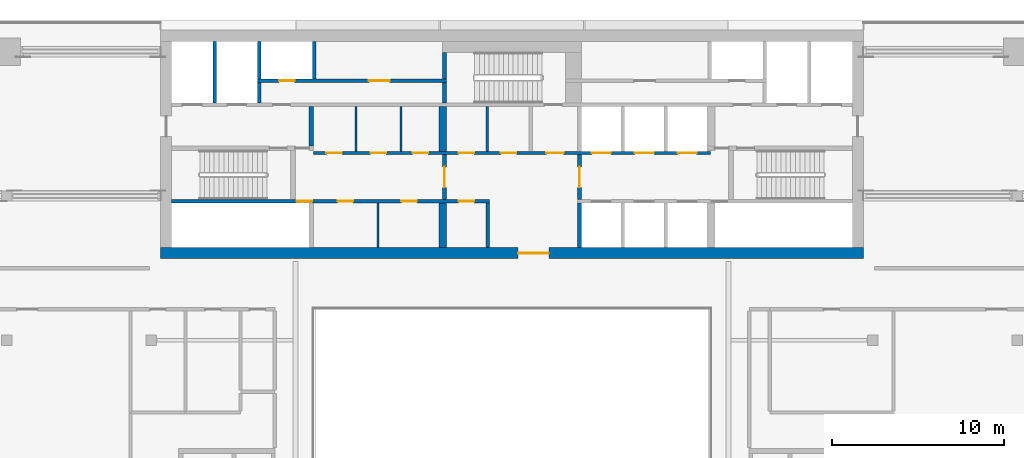
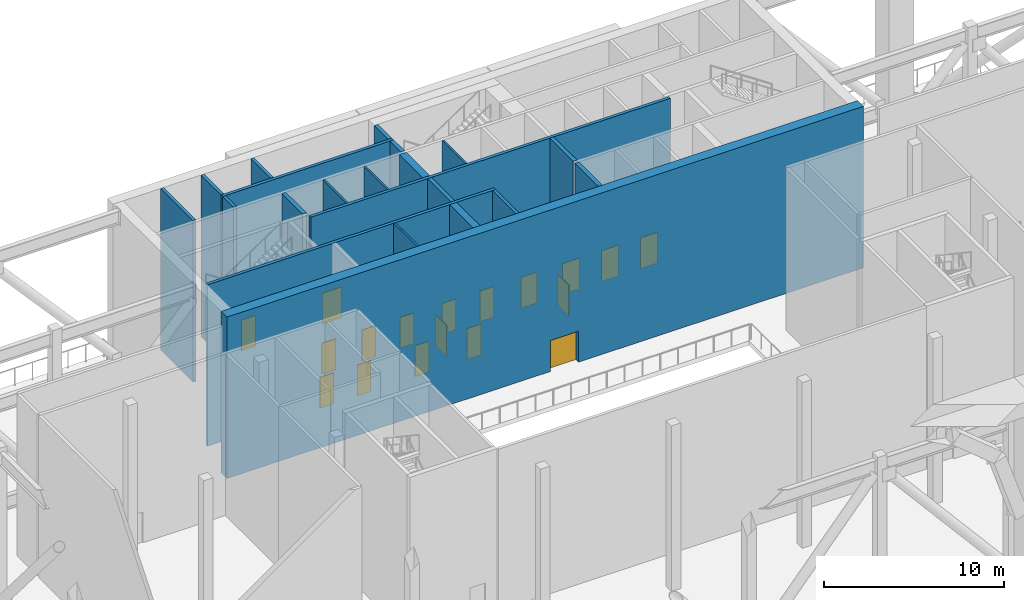
# One storey, part 5 of 19: 21 walls, 18 doors, 18 openings.
"""IFC4 building model written with IfcOpenShell, lengths in metres."""

from ifc_helpers import new_model, si_unit, direction, frame, frame_2d, origin, place, context, subcontext, project, spatial, rectangle, extrude, material, layer, layer_set, type_object, element, fill, save


model = new_model("IFC4")

# Units and contexts
model_context = context("Model", 3, precision=1e-05, world=origin(), true_north=direction((0.0, 1.0)))
body_context = subcontext(model_context, "Body", "Model", "MODEL_VIEW")
ifc_project = project(units=[si_unit("LENGTHUNIT", "METRE"), si_unit("AREAUNIT", "SQUARE_METRE"), si_unit("VOLUMEUNIT", "CUBIC_METRE"), si_unit("PLANEANGLEUNIT", "RADIAN"), si_unit("MASSUNIT", "GRAM", prefix="KILO")], contexts=[model_context])

# Site, building, storey
site_placement = place(None, origin())
site = spatial("IfcSite", under=ifc_project, at=site_placement, CompositionType="ELEMENT")
building_placement = place(site_placement, origin())
building = spatial("IfcBuilding", under=site, at=building_placement, Name="Saffron Gate Tower", CompositionType="ELEMENT")
storey_placement = place(building_placement, frame((0.0, 0.0, 194.25)))
storey = spatial("IfcBuildingStorey", under=building, at=storey_placement, Name="L48", CompositionType="ELEMENT", Elevation=194.25)

# Walls
ifc_material_1 = material(Name="Gypsum board partition on steel studs", Category="steel")
ifc_layer_1 = layer(ifc_material_1, 0.199951171875)
ifc_layer_set_1 = layer_set([ifc_layer_1], Name="CW10 Core partition 200")
wall_type_1 = type_object("IfcWallType", Name="CW10 Core partition 200", PredefinedType="PARTITIONING", material=ifc_layer_set_1)
wall_1_placement = place(storey_placement, frame((86.199951171875, 62.39990234375, 0.0), z_axis=(0.0, 0.0, 1.0), x_axis=(0.0, 1.0, 0.0)))
element("IfcWall", 1, at=wall_1_placement, inside=storey, type_object=wall_type_1, Name="Wall CW10-L48-8", PredefinedType="PARTITIONING", context=body_context, shape_type="SweptSolid", body=[
    extrude(rectangle(XDim=2.60009765625, YDim=0.199951171875, at=frame_2d((1.300048828125, 0.0))), origin(), (0.0, 0.0, 1.0), 10.969970703125),
])
ifc_material_2 = material(Name="Concrete C60", Category="concrete")
ifc_layer_2 = layer(ifc_material_2, 0.25)
ifc_layer_set_2 = layer_set([ifc_layer_2], Name="CW14 RC core wall 250 C60")
wall_type_2 = type_object("IfcWallType", Name="CW14 RC core wall 250 C60", PredefinedType="SOLIDWALL", material=ifc_layer_set_2)
wall_2_placement = place(storey_placement, frame((91.52490234375, 62.39990234375, 0.0), z_axis=(0.0, 0.0, 1.0), x_axis=(0.0, 1.0, 0.0)))
element("IfcWall", 2, at=wall_2_placement, inside=storey, type_object=wall_type_2, Name="Wall CW14-L48-9", PredefinedType="SOLIDWALL", context=body_context, shape_type="SweptSolid", body=[
    extrude(rectangle(XDim=2.60009765625, YDim=0.25, at=frame_2d((1.300048828125, 0.0))), origin(), (0.0, 0.0, 1.0), 10.969970703125),
])

# Wall, opening, door
wall_3_placement = place(storey_placement, frame((83.675048828125, 65.199951171875, 0.0), z_axis=(0.0, 0.0, 1.0), x_axis=(0.0, 1.0, 0.0)))
wall_3 = element("IfcWall", 3, at=wall_3_placement, inside=storey, type_object=wall_type_2, Name="Wall CW14-L48-16", PredefinedType="SOLIDWALL", context=body_context, shape_type="SweptSolid", body=[
    extrude(rectangle(XDim=2.60009765625, YDim=0.25, at=frame_2d((1.300048828125, 0.0))), origin(), (0.0, 0.0, 1.0), 10.969970703125),
])
opening_1_placement = place(wall_3_placement, frame((0.699951171875, 0.0, 0.0)))
opening_1 = element("IfcOpeningElement", 4, at=opening_1_placement, cuts=wall_3, Name="Opening CR-07", PredefinedType="OPENING", context=body_context, shape_type="SweptSolid", body=[
    extrude(rectangle(XDim=1.199951171875, YDim=2.10009765625, at=frame_2d((0.60009765625, 1.050048828125))), frame((0.0, 0.135009765625, 0.0), z_axis=(0.0, -1.0, 0.0), x_axis=(1.0, 0.0, 0.0)), (0.0, 0.0, 1.0), 0.27001953125),
])
ifc_material_3 = material(Name="Steel fire door set", Category="steel")
door_type_1 = type_object("IfcDoorType", Name="CD3 Lobby door 1200x2100 EI 120", OperationType="NOTDEFINED", PredefinedType="DOOR", material=ifc_material_3)
door_1_placement = place(opening_1_placement, origin())
door_1 = element("IfcDoor", 5, at=door_1_placement, inside=storey, type_object=door_type_1, Name="DOOR CR-07", OperationType="SINGLE_SWING_RIGHT", OverallHeight=2.10009765625, OverallWidth=1.199951171875, PredefinedType="DOOR", context=body_context, shape_type="SweptSolid", body=[
    extrude(rectangle(XDim=1.199951171875, YDim=2.10009765625, at=frame_2d((0.60009765625, 1.050048828125))), frame((0.0, 0.02490234375, 0.0), z_axis=(0.0, -1.0, 0.0), x_axis=(1.0, 0.0, 0.0)), (0.0, 0.0, 1.0), 0.050048828125),
])
fill(opening_1, door_1)

wall_4_placement = place(storey_placement, frame((91.52490234375, 65.199951171875, 0.0), z_axis=(0.0, 0.0, 1.0), x_axis=(0.0, 1.0, 0.0)))
wall_4 = element("IfcWall", 6, at=wall_4_placement, inside=storey, type_object=wall_type_2, Name="Wall CW14-L48-17", PredefinedType="SOLIDWALL", context=body_context, shape_type="SweptSolid", body=[
    extrude(rectangle(XDim=2.60009765625, YDim=0.25, at=frame_2d((1.300048828125, 0.0))), origin(), (0.0, 0.0, 1.0), 10.969970703125),
])
opening_2_placement = place(wall_4_placement, frame((0.699951171875, 0.0, 0.0)))
opening_2 = element("IfcOpeningElement", 7, at=opening_2_placement, cuts=wall_4, Name="Opening CR-01", PredefinedType="OPENING", context=body_context, shape_type="SweptSolid", body=[
    extrude(rectangle(XDim=1.199951171875, YDim=2.10009765625, at=frame_2d((0.60009765625, 1.050048828125))), frame((0.0, 0.135009765625, 0.0), z_axis=(0.0, -1.0, 0.0), x_axis=(1.0, 0.0, 0.0)), (0.0, 0.0, 1.0), 0.27001953125),
])
door_2_placement = place(opening_2_placement, origin())
door_2 = element("IfcDoor", 8, at=door_2_placement, inside=storey, type_object=door_type_1, Name="DOOR CR-01", OperationType="SINGLE_SWING_RIGHT", OverallHeight=2.10009765625, OverallWidth=1.199951171875, PredefinedType="DOOR", context=body_context, shape_type="SweptSolid", body=[
    extrude(rectangle(XDim=1.199951171875, YDim=2.10009765625, at=frame_2d((0.60009765625, 1.050048828125))), frame((0.0, 0.02490234375, 0.0), z_axis=(0.0, -1.0, 0.0), x_axis=(1.0, 0.0, 0.0)), (0.0, 0.0, 1.0), 0.050048828125),
])
fill(opening_2, door_2)

# Walls
wall_5_placement = place(storey_placement, frame((75.925048828125, 68.300048828125, 0.0), z_axis=(0.0, 0.0, 1.0), x_axis=(0.0, 1.0, 0.0)))
element("IfcWall", 9, at=wall_5_placement, inside=storey, type_object=wall_type_2, Name="Wall CW14-L48-31", PredefinedType="SOLIDWALL", context=body_context, shape_type="SweptSolid", body=[
    extrude(rectangle(XDim=2.300048828125, YDim=0.25, at=frame_2d((1.14990234375, 0.0))), origin(), (0.0, 0.0, 1.0), 10.969970703125),
])
wall_6_placement = place(storey_placement, frame((83.675048828125, 70.800048828125, 0.0), z_axis=(0.0, 0.0, 1.0), x_axis=(0.0, 1.0, 0.0)))
element("IfcWall", 10, at=wall_6_placement, inside=storey, type_object=wall_type_2, Name="Wall CW14-L48-36", PredefinedType="SOLIDWALL", context=body_context, shape_type="SweptSolid", body=[
    extrude(rectangle(XDim=1.199951171875, YDim=0.25, at=frame_2d((0.60009765625, 0.0))), origin(), (0.0, 0.0, 1.0), 10.969970703125),
])
wall_7_placement = place(storey_placement, frame((83.675048828125, 72.199951171875, 0.0), z_axis=(0.0, 0.0, 1.0), x_axis=(0.0, 1.0, 0.0)))
element("IfcWall", 11, at=wall_7_placement, inside=storey, type_object=wall_type_2, Name="Wall CW14-L48-44", PredefinedType="SOLIDWALL", context=body_context, shape_type="SweptSolid", body=[
    extrude(rectangle(XDim=1.550048828125, YDim=0.25, at=frame_2d((0.77490234375, 0.0))), origin(), (0.0, 0.0, 1.0), 10.969970703125),
])

# Wall, openings, doors
ifc_layer_3 = layer(ifc_material_2, 0.199951171875)
ifc_layer_set_3 = layer_set([ifc_layer_3], Name="CW15 RC core wall 200 C60")
wall_type_3 = type_object("IfcWallType", Name="CW15 RC core wall 200 C60", PredefinedType="SOLIDWALL", material=ifc_layer_set_3)
wall_8_placement = place(storey_placement, frame((67.800048828125, 65.10009765625, 0.0), z_axis=(0.0, 0.0, 1.0), x_axis=(1.0, 0.0, 0.0)))
wall_8 = element("IfcWall", 12, at=wall_8_placement, inside=storey, type_object=wall_type_3, Name="Wall CW15-L48-13", PredefinedType="SOLIDWALL", context=body_context, shape_type="SweptSolid", body=[
    extrude(rectangle(XDim=18.5, YDim=0.199951171875, at=frame_2d((9.25, 0.0))), origin(), (0.0, 0.0, 1.0), 10.969970703125),
])
opening_3_placement = place(wall_8_placement, frame((7.27001953125, 0.0, 0.0)))
opening_3 = element("IfcOpeningElement", 13, at=opening_3_placement, cuts=wall_8, Name="Opening CR-49", PredefinedType="OPENING", context=body_context, shape_type="SweptSolid", body=[
    extrude(rectangle(XDim=0.89990234375, YDim=2.10009765625, at=frame_2d((0.449951171875, 1.050048828125))), frame((0.0, 0.10986328125, 0.0), z_axis=(0.0, -1.0, 0.0), x_axis=(1.0, 0.0, 0.0)), (0.0, 0.0, 1.0), 0.219970703125),
])
opening_4_placement = place(wall_8_placement, frame((9.64990234375, 0.0, 0.0)))
opening_4 = element("IfcOpeningElement", 14, at=opening_4_placement, cuts=wall_8, Name="Opening CR-64", PredefinedType="OPENING", context=body_context, shape_type="SweptSolid", body=[
    extrude(rectangle(XDim=0.89990234375, YDim=2.10009765625, at=frame_2d((0.449951171875, 1.050048828125))), frame((0.0, 0.10986328125, 0.0), z_axis=(0.0, -1.0, 0.0), x_axis=(1.0, 0.0, 0.0)), (0.0, 0.0, 1.0), 0.219970703125),
])
opening_5_placement = place(wall_8_placement, frame((13.360107421875, 0.0, 0.0)))
opening_5 = element("IfcOpeningElement", 15, at=opening_5_placement, cuts=wall_8, Name="Opening CR-65", PredefinedType="OPENING", context=body_context, shape_type="SweptSolid", body=[
    extrude(rectangle(XDim=0.89990234375, YDim=2.10009765625, at=frame_2d((0.449951171875, 1.050048828125))), frame((0.0, 0.10986328125, 0.0), z_axis=(0.0, -1.0, 0.0), x_axis=(1.0, 0.0, 0.0)), (0.0, 0.0, 1.0), 0.219970703125),
])
opening_6_placement = place(wall_8_placement, frame((16.699951171875, 0.0, 0.0)))
opening_6 = element("IfcOpeningElement", 16, at=opening_6_placement, cuts=wall_8, Name="Opening CR-69", PredefinedType="OPENING", context=body_context, shape_type="SweptSolid", body=[
    extrude(rectangle(XDim=0.89990234375, YDim=2.10009765625, at=frame_2d((0.449951171875, 1.050048828125))), frame((0.0, 0.10986328125, 0.0), z_axis=(0.0, -1.0, 0.0), x_axis=(1.0, 0.0, 0.0)), (0.0, 0.0, 1.0), 0.219970703125),
])
door_type_2 = type_object("IfcDoorType", Name="CD2 Riser door 900x2100 EI 60", OperationType="NOTDEFINED", PredefinedType="DOOR", material=ifc_material_3)
door_3_placement = place(opening_3_placement, origin())
door_3 = element("IfcDoor", 17, at=door_3_placement, inside=storey, type_object=door_type_2, Name="DOOR CR-49", OperationType="SINGLE_SWING_LEFT", OverallHeight=2.10009765625, OverallWidth=0.89990234375, PredefinedType="DOOR", context=body_context, shape_type="SweptSolid", body=[
    extrude(rectangle(XDim=0.89990234375, YDim=2.10009765625, at=frame_2d((0.449951171875, 1.050048828125))), frame((0.0, 0.02490234375, 0.0), z_axis=(0.0, -1.0, 0.0), x_axis=(1.0, 0.0, 0.0)), (0.0, 0.0, 1.0), 0.050048828125),
])
fill(opening_3, door_3)
door_type_3 = type_object("IfcDoorType", Name="CD9 Room door 900x2100 EI 60", OperationType="NOTDEFINED", PredefinedType="DOOR", material=ifc_material_3)
door_4_placement = place(opening_4_placement, origin())
door_4 = element("IfcDoor", 18, at=door_4_placement, inside=storey, type_object=door_type_3, Name="DOOR CR-64", OperationType="SINGLE_SWING_RIGHT", OverallHeight=2.10009765625, OverallWidth=0.89990234375, PredefinedType="DOOR", context=body_context, shape_type="SweptSolid", body=[
    extrude(rectangle(XDim=0.89990234375, YDim=2.10009765625, at=frame_2d((0.449951171875, 1.050048828125))), frame((0.0, 0.02490234375, 0.0), z_axis=(0.0, -1.0, 0.0), x_axis=(1.0, 0.0, 0.0)), (0.0, 0.0, 1.0), 0.050048828125),
])
fill(opening_4, door_4)
door_5_placement = place(opening_5_placement, origin())
door_5 = element("IfcDoor", 19, at=door_5_placement, inside=storey, type_object=door_type_3, Name="DOOR CR-65", OperationType="SINGLE_SWING_RIGHT", OverallHeight=2.10009765625, OverallWidth=0.89990234375, PredefinedType="DOOR", context=body_context, shape_type="SweptSolid", body=[
    extrude(rectangle(XDim=0.89990234375, YDim=2.10009765625, at=frame_2d((0.449951171875, 1.050048828125))), frame((0.0, 0.02490234375, 0.0), z_axis=(0.0, -1.0, 0.0), x_axis=(1.0, 0.0, 0.0)), (0.0, 0.0, 1.0), 0.050048828125),
])
fill(opening_5, door_5)
door_6_placement = place(opening_6_placement, origin())
door_6 = element("IfcDoor", 20, at=door_6_placement, inside=storey, type_object=door_type_3, Name="DOOR CR-69", OperationType="SINGLE_SWING_RIGHT", OverallHeight=2.10009765625, OverallWidth=0.89990234375, PredefinedType="DOOR", context=body_context, shape_type="SweptSolid", body=[
    extrude(rectangle(XDim=0.89990234375, YDim=2.10009765625, at=frame_2d((0.449951171875, 1.050048828125))), frame((0.0, 0.02490234375, 0.0), z_axis=(0.0, -1.0, 0.0), x_axis=(1.0, 0.0, 0.0)), (0.0, 0.0, 1.0), 0.050048828125),
])
fill(opening_6, door_6)

wall_9_placement = place(storey_placement, frame((76.050048828125, 67.89990234375, 0.0), z_axis=(0.0, 0.0, 1.0), x_axis=(1.0, 0.0, 0.0)))
wall_9 = element("IfcWall", 21, at=wall_9_placement, inside=storey, type_object=wall_type_3, Name="Wall CW15-L48-19", PredefinedType="SOLIDWALL", context=body_context, shape_type="SweptSolid", body=[
    extrude(rectangle(XDim=23.099853515625, YDim=0.199951171875, at=frame_2d((11.5498046875, 0.0))), origin(), (0.0, 0.0, 1.0), 10.969970703125),
])
opening_7_placement = place(wall_9_placement, frame((0.75, 0.0, 0.0)))
opening_7 = element("IfcOpeningElement", 22, at=opening_7_placement, cuts=wall_9, Name="Opening CR-61", PredefinedType="OPENING", context=body_context, shape_type="SweptSolid", body=[
    extrude(rectangle(XDim=0.89990234375, YDim=2.10009765625, at=frame_2d((0.449951171875, 1.050048828125))), frame((0.0, 0.10986328125, 0.0), z_axis=(0.0, -1.0, 0.0), x_axis=(1.0, 0.0, 0.0)), (0.0, 0.0, 1.0), 0.219970703125),
])
opening_8_placement = place(wall_9_placement, frame((3.320068359375, 0.0, 0.0)))
opening_8 = element("IfcOpeningElement", 23, at=opening_8_placement, cuts=wall_9, Name="Opening CR-62", PredefinedType="OPENING", context=body_context, shape_type="SweptSolid", body=[
    extrude(rectangle(XDim=0.89990234375, YDim=2.10009765625, at=frame_2d((0.449951171875, 1.050048828125))), frame((0.0, 0.10986328125, 0.0), z_axis=(0.0, -1.0, 0.0), x_axis=(1.0, 0.0, 0.0)), (0.0, 0.0, 1.0), 0.219970703125),
])
opening_9_placement = place(wall_9_placement, frame((5.77001953125, 0.0, 0.0)))
opening_9 = element("IfcOpeningElement", 24, at=opening_9_placement, cuts=wall_9, Name="Opening CR-63", PredefinedType="OPENING", context=body_context, shape_type="SweptSolid", body=[
    extrude(rectangle(XDim=0.89990234375, YDim=2.10009765625, at=frame_2d((0.449951171875, 1.050048828125))), frame((0.0, 0.10986328125, 0.0), z_axis=(0.0, -1.0, 0.0), x_axis=(1.0, 0.0, 0.0)), (0.0, 0.0, 1.0), 0.219970703125),
])
opening_10_placement = place(wall_9_placement, frame((8.449951171875, 0.0, 0.0)))
opening_10 = element("IfcOpeningElement", 25, at=opening_10_placement, cuts=wall_9, Name="Opening CR-67", PredefinedType="OPENING", context=body_context, shape_type="SweptSolid", body=[
    extrude(rectangle(XDim=0.89990234375, YDim=2.10009765625, at=frame_2d((0.449951171875, 1.050048828125))), frame((0.0, 0.10986328125, 0.0), z_axis=(0.0, -1.0, 0.0), x_axis=(1.0, 0.0, 0.0)), (0.0, 0.0, 1.0), 0.219970703125),
])
opening_11_placement = place(wall_9_placement, frame((10.909912109375, 0.0, 0.0)))
opening_11 = element("IfcOpeningElement", 26, at=opening_11_placement, cuts=wall_9, Name="Opening CR-68", PredefinedType="OPENING", context=body_context, shape_type="SweptSolid", body=[
    extrude(rectangle(XDim=0.89990234375, YDim=2.10009765625, at=frame_2d((0.449951171875, 1.050048828125))), frame((0.0, 0.10986328125, 0.0), z_axis=(0.0, -1.0, 0.0), x_axis=(1.0, 0.0, 0.0)), (0.0, 0.0, 1.0), 0.219970703125),
])
opening_12_placement = place(wall_9_placement, frame((13.550048828125, 0.0, 0.0)))
opening_12 = element("IfcOpeningElement", 27, at=opening_12_placement, cuts=wall_9, Name="Opening CR-02", PredefinedType="OPENING", context=body_context, shape_type="SweptSolid", body=[
    extrude(rectangle(XDim=1.0, YDim=2.10009765625, at=frame_2d((0.5, 1.050048828125))), frame((0.0, 0.10986328125, 0.0), z_axis=(0.0, -1.0, 0.0), x_axis=(1.0, 0.0, 0.0)), (0.0, 0.0, 1.0), 0.219970703125),
])
opening_13_placement = place(wall_9_placement, frame((16.199951171875, 0.0, 0.0)))
opening_13 = element("IfcOpeningElement", 28, at=opening_13_placement, cuts=wall_9, Name="Opening LD-HR4", PredefinedType="OPENING", context=body_context, shape_type="SweptSolid", body=[
    extrude(rectangle(XDim=1.10009765625, YDim=2.10009765625, at=frame_2d((0.550048828125, 1.050048828125))), frame((0.0, 0.10986328125, 0.0), z_axis=(0.0, -1.0, 0.0), x_axis=(1.0, 0.0, 0.0)), (0.0, 0.0, 1.0), 0.219970703125),
])
opening_14_placement = place(wall_9_placement, frame((18.699951171875, 0.0, 0.0)))
opening_14 = element("IfcOpeningElement", 29, at=opening_14_placement, cuts=wall_9, Name="Opening LD-HR5", PredefinedType="OPENING", context=body_context, shape_type="SweptSolid", body=[
    extrude(rectangle(XDim=1.10009765625, YDim=2.10009765625, at=frame_2d((0.550048828125, 1.050048828125))), frame((0.0, 0.10986328125, 0.0), z_axis=(0.0, -1.0, 0.0), x_axis=(1.0, 0.0, 0.0)), (0.0, 0.0, 1.0), 0.219970703125),
])
opening_15_placement = place(wall_9_placement, frame((21.199951171875, 0.0, 0.0)))
opening_15 = element("IfcOpeningElement", 30, at=opening_15_placement, cuts=wall_9, Name="Opening LD-HR6", PredefinedType="OPENING", context=body_context, shape_type="SweptSolid", body=[
    extrude(rectangle(XDim=1.10009765625, YDim=2.10009765625, at=frame_2d((0.550048828125, 1.050048828125))), frame((0.0, 0.10986328125, 0.0), z_axis=(0.0, -1.0, 0.0), x_axis=(1.0, 0.0, 0.0)), (0.0, 0.0, 1.0), 0.219970703125),
])
door_type_4 = type_object("IfcDoorType", Name="CD4 Lobby door 1000x2100 EI 120", OperationType="NOTDEFINED", PredefinedType="DOOR", material=ifc_material_3)
door_7_placement = place(opening_12_placement, origin())
door_7 = element("IfcDoor", 31, at=door_7_placement, inside=storey, type_object=door_type_4, Name="DOOR CR-02", OperationType="SINGLE_SWING_LEFT", OverallHeight=2.10009765625, OverallWidth=1.0, PredefinedType="DOOR", context=body_context, shape_type="SweptSolid", body=[
    extrude(rectangle(XDim=1.0, YDim=2.10009765625, at=frame_2d((0.5, 1.050048828125))), frame((0.0, 0.02490234375, 0.0), z_axis=(0.0, -1.0, 0.0), x_axis=(1.0, 0.0, 0.0)), (0.0, 0.0, 1.0), 0.050048828125),
])
fill(opening_12, door_7)
door_8_placement = place(opening_7_placement, origin())
door_8 = element("IfcDoor", 32, at=door_8_placement, inside=storey, type_object=door_type_3, Name="DOOR CR-61", OperationType="SINGLE_SWING_LEFT", OverallHeight=2.10009765625, OverallWidth=0.89990234375, PredefinedType="DOOR", context=body_context, shape_type="SweptSolid", body=[
    extrude(rectangle(XDim=0.89990234375, YDim=2.10009765625, at=frame_2d((0.449951171875, 1.050048828125))), frame((0.0, 0.02490234375, 0.0), z_axis=(0.0, -1.0, 0.0), x_axis=(1.0, 0.0, 0.0)), (0.0, 0.0, 1.0), 0.050048828125),
])
fill(opening_7, door_8)
door_9_placement = place(opening_8_placement, origin())
door_9 = element("IfcDoor", 33, at=door_9_placement, inside=storey, type_object=door_type_3, Name="DOOR CR-62", OperationType="SINGLE_SWING_LEFT", OverallHeight=2.10009765625, OverallWidth=0.89990234375, PredefinedType="DOOR", context=body_context, shape_type="SweptSolid", body=[
    extrude(rectangle(XDim=0.89990234375, YDim=2.10009765625, at=frame_2d((0.449951171875, 1.050048828125))), frame((0.0, 0.02490234375, 0.0), z_axis=(0.0, -1.0, 0.0), x_axis=(1.0, 0.0, 0.0)), (0.0, 0.0, 1.0), 0.050048828125),
])
fill(opening_8, door_9)
door_10_placement = place(opening_9_placement, origin())
door_10 = element("IfcDoor", 34, at=door_10_placement, inside=storey, type_object=door_type_3, Name="DOOR CR-63", OperationType="SINGLE_SWING_LEFT", OverallHeight=2.10009765625, OverallWidth=0.89990234375, PredefinedType="DOOR", context=body_context, shape_type="SweptSolid", body=[
    extrude(rectangle(XDim=0.89990234375, YDim=2.10009765625, at=frame_2d((0.449951171875, 1.050048828125))), frame((0.0, 0.02490234375, 0.0), z_axis=(0.0, -1.0, 0.0), x_axis=(1.0, 0.0, 0.0)), (0.0, 0.0, 1.0), 0.050048828125),
])
fill(opening_9, door_10)
door_11_placement = place(opening_10_placement, origin())
door_11 = element("IfcDoor", 35, at=door_11_placement, inside=storey, type_object=door_type_3, Name="DOOR CR-67", OperationType="SINGLE_SWING_LEFT", OverallHeight=2.10009765625, OverallWidth=0.89990234375, PredefinedType="DOOR", context=body_context, shape_type="SweptSolid", body=[
    extrude(rectangle(XDim=0.89990234375, YDim=2.10009765625, at=frame_2d((0.449951171875, 1.050048828125))), frame((0.0, 0.02490234375, 0.0), z_axis=(0.0, -1.0, 0.0), x_axis=(1.0, 0.0, 0.0)), (0.0, 0.0, 1.0), 0.050048828125),
])
fill(opening_10, door_11)
door_12_placement = place(opening_11_placement, origin())
door_12 = element("IfcDoor", 36, at=door_12_placement, inside=storey, type_object=door_type_3, Name="DOOR CR-68", OperationType="SINGLE_SWING_LEFT", OverallHeight=2.10009765625, OverallWidth=0.89990234375, PredefinedType="DOOR", context=body_context, shape_type="SweptSolid", body=[
    extrude(rectangle(XDim=0.89990234375, YDim=2.10009765625, at=frame_2d((0.449951171875, 1.050048828125))), frame((0.0, 0.02490234375, 0.0), z_axis=(0.0, -1.0, 0.0), x_axis=(1.0, 0.0, 0.0)), (0.0, 0.0, 1.0), 0.050048828125),
])
fill(opening_11, door_12)
ifc_material_4 = material(Name="Stainless steel landing door", Category="steel")
door_type_5 = type_object("IfcDoorType", Name="LD Lift landing door 1100x2100 EI 120", OperationType="SLIDING_TO_LEFT", PredefinedType="DOOR", material=ifc_material_4)
door_13_placement = place(opening_13_placement, origin())
door_13 = element("IfcDoor", 37, at=door_13_placement, inside=storey, type_object=door_type_5, Name="LANDING DOOR LD-HR4", OperationType="SLIDING_TO_RIGHT", OverallHeight=2.10009765625, OverallWidth=1.10009765625, PredefinedType="DOOR", context=body_context, shape_type="SweptSolid", body=[
    extrude(rectangle(XDim=1.10009765625, YDim=2.10009765625, at=frame_2d((0.550048828125, 1.050048828125))), frame((0.0, 0.02490234375, 0.0), z_axis=(0.0, -1.0, 0.0), x_axis=(1.0, 0.0, 0.0)), (0.0, 0.0, 1.0), 0.050048828125),
])
fill(opening_13, door_13)
door_14_placement = place(opening_14_placement, origin())
door_14 = element("IfcDoor", 38, at=door_14_placement, inside=storey, type_object=door_type_5, Name="LANDING DOOR LD-HR5", OperationType="SLIDING_TO_RIGHT", OverallHeight=2.10009765625, OverallWidth=1.10009765625, PredefinedType="DOOR", context=body_context, shape_type="SweptSolid", body=[
    extrude(rectangle(XDim=1.10009765625, YDim=2.10009765625, at=frame_2d((0.550048828125, 1.050048828125))), frame((0.0, 0.02490234375, 0.0), z_axis=(0.0, -1.0, 0.0), x_axis=(1.0, 0.0, 0.0)), (0.0, 0.0, 1.0), 0.050048828125),
])
fill(opening_14, door_14)
door_15_placement = place(opening_15_placement, origin())
door_15 = element("IfcDoor", 39, at=door_15_placement, inside=storey, type_object=door_type_5, Name="LANDING DOOR LD-HR6", OperationType="SLIDING_TO_RIGHT", OverallHeight=2.10009765625, OverallWidth=1.10009765625, PredefinedType="DOOR", context=body_context, shape_type="SweptSolid", body=[
    extrude(rectangle(XDim=1.10009765625, YDim=2.10009765625, at=frame_2d((0.550048828125, 1.050048828125))), frame((0.0, 0.02490234375, 0.0), z_axis=(0.0, -1.0, 0.0), x_axis=(1.0, 0.0, 0.0)), (0.0, 0.0, 1.0), 0.050048828125),
])
fill(opening_15, door_15)

# Walls
wall_10_placement = place(storey_placement, frame((70.300048828125, 70.800048828125, 0.0), z_axis=(0.0, 0.0, 1.0), x_axis=(0.0, 1.0, 0.0)))
element("IfcWall", 40, at=wall_10_placement, inside=storey, type_object=wall_type_3, Name="Wall CW15-L48-34", PredefinedType="SOLIDWALL", context=body_context, shape_type="SweptSolid", body=[
    extrude(rectangle(XDim=3.599853515625, YDim=0.199951171875, at=frame_2d((1.7998046875, 0.0))), origin(), (0.0, 0.0, 1.0), 10.969970703125),
])
wall_11_placement = place(storey_placement, frame((72.89990234375, 70.800048828125, 0.0), z_axis=(0.0, 0.0, 1.0), x_axis=(0.0, 1.0, 0.0)))
element("IfcWall", 41, at=wall_11_placement, inside=storey, type_object=wall_type_3, Name="Wall CW15-L48-35", PredefinedType="SOLIDWALL", context=body_context, shape_type="SweptSolid", body=[
    extrude(rectangle(XDim=1.199951171875, YDim=0.199951171875, at=frame_2d((0.60009765625, 0.0))), origin(), (0.0, 0.0, 1.0), 10.969970703125),
])

# Wall, openings, doors
wall_12_placement = place(storey_placement, frame((72.800048828125, 72.10009765625, 0.0), z_axis=(0.0, 0.0, 1.0), x_axis=(1.0, 0.0, 0.0)))
wall_12 = element("IfcWall", 42, at=wall_12_placement, inside=storey, type_object=wall_type_3, Name="Wall CW15-L48-40", PredefinedType="SOLIDWALL", context=body_context, shape_type="SweptSolid", body=[
    extrude(rectangle(XDim=11.0, YDim=0.199951171875, at=frame_2d((5.5, 0.0))), origin(), (0.0, 0.0, 1.0), 10.969970703125),
])
opening_16_placement = place(wall_12_placement, frame((1.25, 0.0, 0.0)))
opening_16 = element("IfcOpeningElement", 43, at=opening_16_placement, cuts=wall_12, Name="Opening CR-71", PredefinedType="OPENING", context=body_context, shape_type="SweptSolid", body=[
    extrude(rectangle(XDim=0.89990234375, YDim=2.10009765625, at=frame_2d((0.449951171875, 1.050048828125))), frame((0.0, 0.10986328125, 0.0), z_axis=(0.0, -1.0, 0.0), x_axis=(1.0, 0.0, 0.0)), (0.0, 0.0, 1.0), 0.219970703125),
])
opening_17_placement = place(wall_12_placement, frame((6.47509765625, 0.0, 0.0)))
opening_17 = element("IfcOpeningElement", 44, at=opening_17_placement, cuts=wall_12, Name="Opening CR-57", PredefinedType="OPENING", context=body_context, shape_type="SweptSolid", body=[
    extrude(rectangle(XDim=1.199951171875, YDim=2.10009765625, at=frame_2d((0.60009765625, 1.050048828125))), frame((0.0, 0.10986328125, 0.0), z_axis=(0.0, -1.0, 0.0), x_axis=(1.0, 0.0, 0.0)), (0.0, 0.0, 1.0), 0.219970703125),
])
door_type_6 = type_object("IfcDoorType", Name="CD10 Room door 1200x2100 EI 60", OperationType="NOTDEFINED", PredefinedType="DOOR", material=ifc_material_3)
door_16_placement = place(opening_17_placement, origin())
door_16 = element("IfcDoor", 45, at=door_16_placement, inside=storey, type_object=door_type_6, Name="DOOR CR-57", OperationType="SINGLE_SWING_LEFT", OverallHeight=2.10009765625, OverallWidth=1.199951171875, PredefinedType="DOOR", context=body_context, shape_type="SweptSolid", body=[
    extrude(rectangle(XDim=1.199951171875, YDim=2.10009765625, at=frame_2d((0.60009765625, 1.050048828125))), frame((0.0, 0.02490234375, 0.0), z_axis=(0.0, -1.0, 0.0), x_axis=(1.0, 0.0, 0.0)), (0.0, 0.0, 1.0), 0.050048828125),
])
fill(opening_17, door_16)
door_17_placement = place(opening_16_placement, origin())
door_17 = element("IfcDoor", 46, at=door_17_placement, inside=storey, type_object=door_type_2, Name="DOOR CR-71", OperationType="SINGLE_SWING_LEFT", OverallHeight=2.10009765625, OverallWidth=0.89990234375, PredefinedType="DOOR", context=body_context, shape_type="SweptSolid", body=[
    extrude(rectangle(XDim=0.89990234375, YDim=2.10009765625, at=frame_2d((0.449951171875, 1.050048828125))), frame((0.0, 0.02490234375, 0.0), z_axis=(0.0, -1.0, 0.0), x_axis=(1.0, 0.0, 0.0)), (0.0, 0.0, 1.0), 0.050048828125),
])
fill(opening_16, door_17)

# Walls
for number, where, z_axis, x_axis, name in (
    (47, (72.89990234375, 72.199951171875, 0.0), (0.0, 0.0, 1.0), (0.0, 1.0, 0.0), "Wall CW15-L48-42"),
    (48, (76.10009765625, 72.199951171875, 0.0), (0.0, 0.0, 1.0), (0.0, 1.0, 0.0), "Wall CW15-L48-43"),
):
    element("IfcWall", number, at=place(storey_placement, frame(where, z_axis=z_axis, x_axis=x_axis)), inside=storey, type_object=wall_type_3, Name=name, PredefinedType="SOLIDWALL", context=body_context, shape_type="SweptSolid", body=[
        extrude(rectangle(XDim=2.199951171875, YDim=0.199951171875, at=frame_2d((1.10009765625, 0.0))), origin(), (0.0, 0.0, 1.0), 10.969970703125),
    ])
ifc_layer_4 = layer(ifc_material_2, 0.449951171875)
ifc_layer_set_4 = layer_set([ifc_layer_4], Name="CW16 RC core wall 450 C60")
wall_type_4 = type_object("IfcWallType", Name="CW16 RC core wall 450 C60", PredefinedType="SOLIDWALL", material=ifc_layer_set_4)
for number, where, z_axis, x_axis, name in (
    (49, (83.574951171875, 62.39990234375, 0.0), (0.0, 0.0, 1.0), (0.0, 1.0, 0.0), "Wall CW16-L48-7"),
    (50, (83.574951171875, 68.0, 0.0), (0.0, 0.0, 1.0), (0.0, 1.0, 0.0), "Wall CW16-L48-22"),
):
    element("IfcWall", number, at=place(storey_placement, frame(where, z_axis=z_axis, x_axis=x_axis)), inside=storey, type_object=wall_type_4, Name=name, PredefinedType="SOLIDWALL", context=body_context, shape_type="SweptSolid", body=[
        extrude(rectangle(XDim=2.60009765625, YDim=0.449951171875, at=frame_2d((1.300048828125, 0.0))), origin(), (0.0, 0.0, 1.0), 10.969970703125),
    ])

# Wall, opening, door
ifc_layer_5 = layer(ifc_material_2, 0.64990234375)
ifc_layer_set_5 = layer_set([ifc_layer_5], Name="CW20 RC core wall 650 C60")
wall_type_5 = type_object("IfcWallType", Name="CW20 RC core wall 650 C60", PredefinedType="SOLIDWALL", material=ifc_layer_set_5)
wall_13_placement = place(storey_placement, frame((67.14990234375, 62.074951171875, 0.0), z_axis=(0.0, 0.0, 1.0), x_axis=(1.0, 0.0, 0.0)))
wall_13 = element("IfcWall", 51, at=wall_13_placement, inside=storey, type_object=wall_type_5, Name="Wall CW20-L48-1", PredefinedType="SOLIDWALL", context=body_context, shape_type="SweptSolid", body=[
    extrude(rectangle(XDim=40.900146484375, YDim=0.64990234375, at=frame_2d((20.4501953125, 0.0))), origin(), (0.0, 0.0, 1.0), 10.969970703125),
])
opening_18_placement = place(wall_13_placement, frame((20.800048828125, 0.0, 0.0)))
opening_18 = element("IfcOpeningElement", 52, at=opening_18_placement, cuts=wall_13, Name="Opening CR-09", PredefinedType="OPENING", context=body_context, shape_type="SweptSolid", body=[
    extrude(rectangle(XDim=1.800048828125, YDim=2.10009765625, at=frame_2d((0.89990234375, 1.050048828125))), frame((0.0, 0.3349609375, 0.0), z_axis=(0.0, -1.0, 0.0), x_axis=(1.0, 0.0, 0.0)), (0.0, 0.0, 1.0), 0.669921875),
])
door_type_7 = type_object("IfcDoorType", Name="CD1 Core entrance door 1800x2100 EI 120", OperationType="NOTDEFINED", PredefinedType="DOOR", material=ifc_material_3)
door_18_placement = place(opening_18_placement, origin())
door_18 = element("IfcDoor", 53, at=door_18_placement, inside=storey, type_object=door_type_7, Name="DOOR CR-09", OperationType="DOUBLE_DOOR_SINGLE_SWING", OverallHeight=2.10009765625, OverallWidth=1.800048828125, PredefinedType="DOOR", context=body_context, shape_type="SweptSolid", body=[
    extrude(rectangle(XDim=1.800048828125, YDim=2.10009765625, at=frame_2d((0.89990234375, 1.050048828125))), frame((0.0, 0.02490234375, 0.0), z_axis=(0.0, -1.0, 0.0), x_axis=(1.0, 0.0, 0.0)), (0.0, 0.0, 1.0), 0.050048828125),
])
fill(opening_18, door_18)

# Walls
ifc_layer_6 = layer(ifc_material_1, 0.1201171875)
ifc_layer_set_6 = layer_set([ifc_layer_6], Name="CW8 Core partition 120")
wall_type_6 = type_object("IfcWallType", Name="CW8 Core partition 120", PredefinedType="PARTITIONING", material=ifc_layer_set_6)
for number, where, z_axis, x_axis, name in (
    (54, (79.81005859375, 62.39990234375, 0.0), (0.0, 0.0, 1.0), (0.0, 1.0, 0.0), "Wall CW8-L48-6"),
    (55, (78.510009765625, 68.0, 0.0), (0.0, 0.0, 1.0), (0.0, 1.0, 0.0), "Wall CW8-L48-20"),
    (56, (81.1298828125, 68.0, 0.0), (0.0, 0.0, 1.0), (0.0, 1.0, 0.0), "Wall CW8-L48-21"),
    (57, (86.159912109375, 68.0, 0.0), (0.0, 0.0, 1.0), (0.0, 1.0, 0.0), "Wall CW8-L48-23"),
):
    element("IfcWall", number, at=place(storey_placement, frame(where, z_axis=z_axis, x_axis=x_axis)), inside=storey, type_object=wall_type_6, Name=name, PredefinedType="PARTITIONING", context=body_context, shape_type="SweptSolid", body=[
        extrude(rectangle(XDim=2.60009765625, YDim=0.1201171875, at=frame_2d((1.300048828125, 0.0))), origin(), (0.0, 0.0, 1.0), 10.969970703125),
    ])

save(model, "model.ifc")
